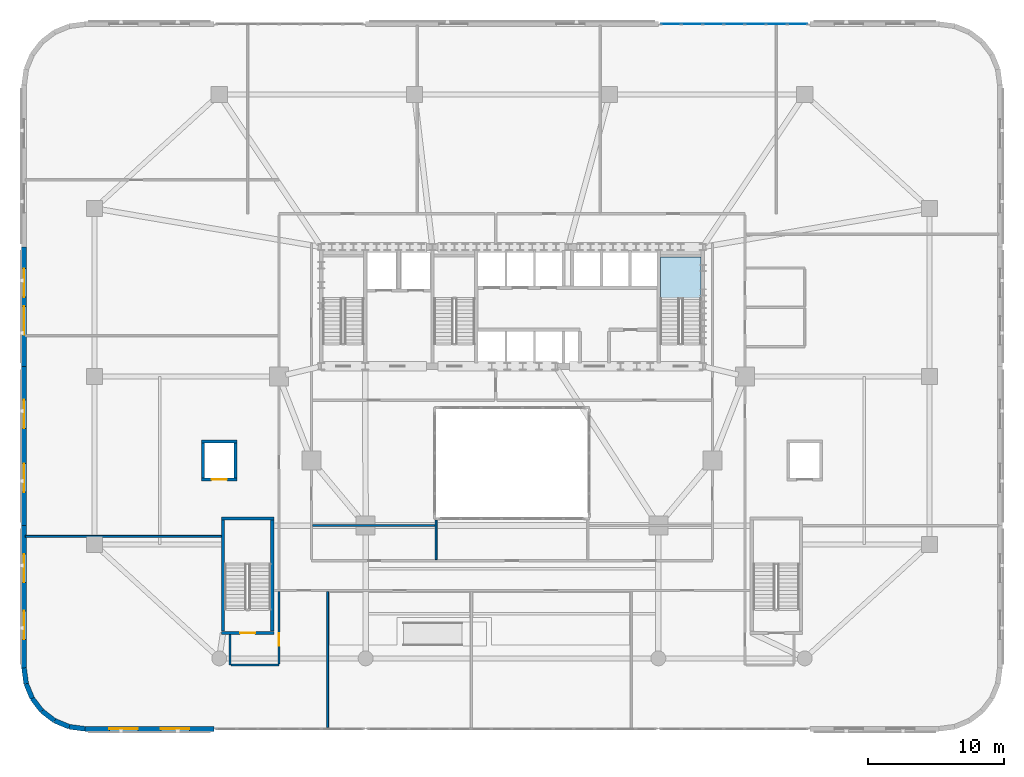
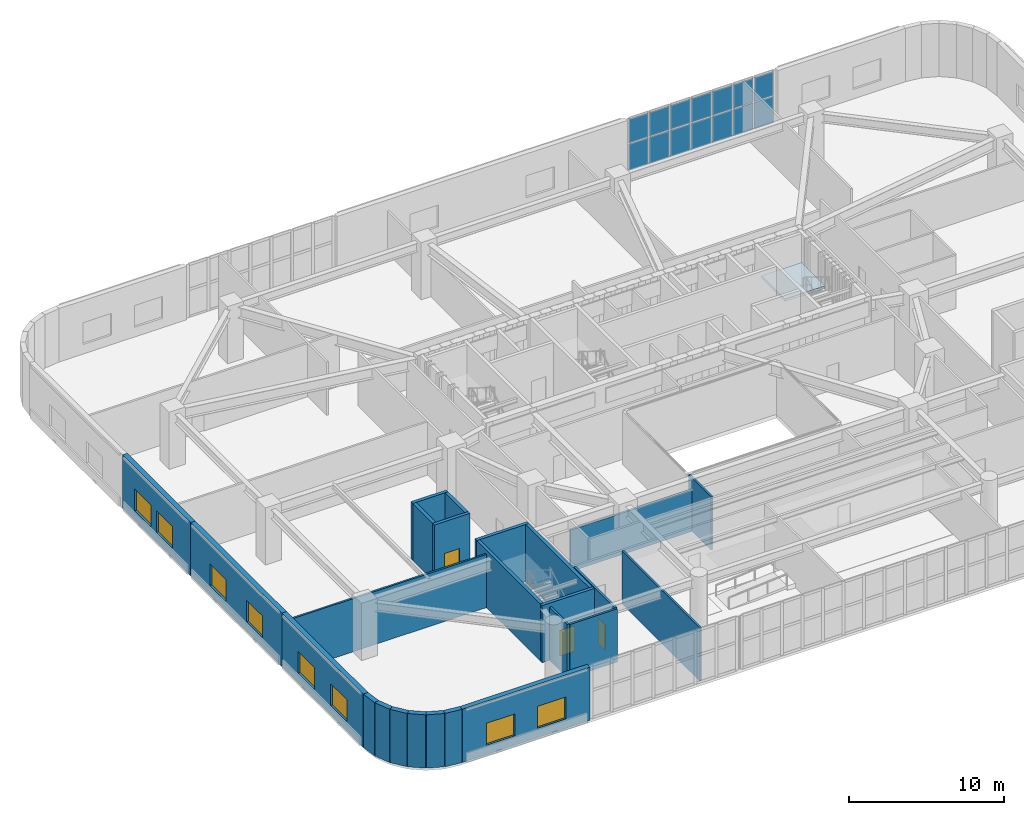
# One storey, part 13 of 25: 25 walls, 14 plates, 8 windows, 3 doors, 1 slab, 11 openings, 2 elements without a shape of their own.
"""IFC4 building model written with IfcOpenShell, lengths in metres."""

from ifc_helpers import new_model, si_unit, direction, frame, frame_2d, origin, origin_2d, place, context, subcontext, project, spatial, polyline, rectangle, outline, extrude, material, layer, layer_set, type_object, element, fill, aggregate, save


model = new_model("IFC4")

# Units and contexts
model_context = context("Model", 3, precision=1e-05, world=origin(), true_north=direction((0.0, 1.0)))
body_context = subcontext(model_context, "Body", "Model", "MODEL_VIEW")
ifc_project = project(units=[si_unit("LENGTHUNIT", "METRE"), si_unit("AREAUNIT", "SQUARE_METRE"), si_unit("VOLUMEUNIT", "CUBIC_METRE"), si_unit("PLANEANGLEUNIT", "RADIAN"), si_unit("MASSUNIT", "GRAM", prefix="KILO")], contexts=[model_context])

# Site, building, storey
site_placement = place(None, origin())
site = spatial("IfcSite", under=ifc_project, at=site_placement, CompositionType="ELEMENT")
building_placement = place(site_placement, origin())
building = spatial("IfcBuilding", under=site, at=building_placement, Name="Haldorwick Loom Tower", CompositionType="ELEMENT")
storey_placement = place(building_placement, frame((0.0, 0.0, 6.0)))
storey = spatial("IfcBuildingStorey", under=building, at=storey_placement, Name="L01", CompositionType="ELEMENT", Elevation=6.0)

# Curtain wall, plates
ifc_material_1 = material(Name="Thermally Broken Anodized Aluminium Curtain Wall Framing", Category="aluminium")
curtain_wall_type = type_object("IfcCurtainWallType", Name="ARC-CW-01", PredefinedType="NOTDEFINED", material=ifc_material_1)
curtain_wall_placement = place(storey_placement, origin())
curtain_wall = element("IfcCurtainWall", 1, at=curtain_wall_placement, inside=storey, type_object=curtain_wall_type, Name="L01 Facade Curtain Wall CW-01 Bay 18", PredefinedType="NOTDEFINED")
ifc_material_2 = material(Name="Triple-Glazed Low-E Argon Insulated Glazing Unit", Category="glass")
ifc_layer_1 = layer(ifc_material_2, 0.037109375, Name="Triple-Glazed Low-E Argon Insulated Glazing Unit", Category="glass")
ifc_layer_set_1 = layer_set([ifc_layer_1], Name="Triple-Glazed Low-E Argon Insulated Glazing Unit")
plate_type = type_object("IfcPlateType", Name="ARC-CWP-01", PredefinedType="CURTAIN_PANEL", material=ifc_layer_set_1)
plate_1_placement = place(storey_placement, frame((57.061279296875, 52.0, 0.074951171875), z_axis=(0.0, 0.0, 1.0), x_axis=(-1.0, 0.0, 0.0)))
plate_1 = element("IfcPlate", 2, at=plate_1_placement, type_object=plate_type, Name="CW-01 panel 1.1", PredefinedType="CURTAIN_PANEL", context=body_context, shape_type="SweptSolid", body=[
    extrude(rectangle(XDim=1.447509765625, YDim=0.037109375, at=origin_2d()), origin(), (0.0, 0.0, 1.0), 2.08740234375),
])
plate_2_placement = place(storey_placement, frame((57.061279296875, 52.0, 2.2373046875), z_axis=(0.0, 0.0, 1.0), x_axis=(-1.0, 0.0, 0.0)))
plate_2 = element("IfcPlate", 3, at=plate_2_placement, type_object=plate_type, Name="CW-01 panel 1.2", PredefinedType="CURTAIN_PANEL", context=body_context, shape_type="SweptSolid", body=[
    extrude(rectangle(XDim=1.447509765625, YDim=0.037109375, at=origin_2d()), origin(), (0.0, 0.0, 1.0), 1.887451171875),
])
plate_3_placement = place(storey_placement, frame((55.52001953125, 52.0, 0.074951171875), z_axis=(0.0, 0.0, 1.0), x_axis=(-1.0, 0.0, 0.0)))
plate_3 = element("IfcPlate", 4, at=plate_3_placement, type_object=plate_type, Name="CW-01 panel 2.1", PredefinedType="CURTAIN_PANEL", context=body_context, shape_type="SweptSolid", body=[
    extrude(rectangle(XDim=1.485107421875, YDim=0.037109375, at=origin_2d()), origin(), (0.0, 0.0, 1.0), 2.08740234375),
])
plate_4_placement = place(storey_placement, frame((55.52001953125, 52.0, 2.2373046875), z_axis=(0.0, 0.0, 1.0), x_axis=(-1.0, 0.0, 0.0)))
plate_4 = element("IfcPlate", 5, at=plate_4_placement, type_object=plate_type, Name="CW-01 panel 2.2", PredefinedType="CURTAIN_PANEL", context=body_context, shape_type="SweptSolid", body=[
    extrude(rectangle(XDim=1.485107421875, YDim=0.037109375, at=origin_2d()), origin(), (0.0, 0.0, 1.0), 1.887451171875),
])
plate_5_placement = place(storey_placement, frame((53.9599609375, 52.0, 0.074951171875), z_axis=(0.0, 0.0, 1.0), x_axis=(-1.0, 0.0, 0.0)))
plate_5 = element("IfcPlate", 6, at=plate_5_placement, type_object=plate_type, Name="CW-01 panel 3.1", PredefinedType="CURTAIN_PANEL", context=body_context, shape_type="SweptSolid", body=[
    extrude(rectangle(XDim=1.485107421875, YDim=0.037109375, at=origin_2d()), origin(), (0.0, 0.0, 1.0), 2.08740234375),
])
plate_6_placement = place(storey_placement, frame((53.9599609375, 52.0, 2.2373046875), z_axis=(0.0, 0.0, 1.0), x_axis=(-1.0, 0.0, 0.0)))
plate_6 = element("IfcPlate", 7, at=plate_6_placement, type_object=plate_type, Name="CW-01 panel 3.2", PredefinedType="CURTAIN_PANEL", context=body_context, shape_type="SweptSolid", body=[
    extrude(rectangle(XDim=1.485107421875, YDim=0.037109375, at=origin_2d()), origin(), (0.0, 0.0, 1.0), 1.887451171875),
])
plate_7_placement = place(storey_placement, frame((52.39990234375, 52.0, 0.074951171875), z_axis=(0.0, 0.0, 1.0), x_axis=(-1.0, 0.0, 0.0)))
plate_7 = element("IfcPlate", 8, at=plate_7_placement, type_object=plate_type, Name="CW-01 panel 4.1", PredefinedType="CURTAIN_PANEL", context=body_context, shape_type="SweptSolid", body=[
    extrude(rectangle(XDim=1.485107421875, YDim=0.037109375, at=origin_2d()), origin(), (0.0, 0.0, 1.0), 2.08740234375),
])
plate_8_placement = place(storey_placement, frame((52.39990234375, 52.0, 2.2373046875), z_axis=(0.0, 0.0, 1.0), x_axis=(-1.0, 0.0, 0.0)))
plate_8 = element("IfcPlate", 9, at=plate_8_placement, type_object=plate_type, Name="CW-01 panel 4.2", PredefinedType="CURTAIN_PANEL", context=body_context, shape_type="SweptSolid", body=[
    extrude(rectangle(XDim=1.485107421875, YDim=0.037109375, at=origin_2d()), origin(), (0.0, 0.0, 1.0), 1.887451171875),
])
plate_9_placement = place(storey_placement, frame((50.840087890625, 52.0, 0.074951171875), z_axis=(0.0, 0.0, 1.0), x_axis=(-1.0, 0.0, 0.0)))
plate_9 = element("IfcPlate", 10, at=plate_9_placement, type_object=plate_type, Name="CW-01 panel 5.1", PredefinedType="CURTAIN_PANEL", context=body_context, shape_type="SweptSolid", body=[
    extrude(rectangle(XDim=1.485107421875, YDim=0.037109375, at=origin_2d()), origin(), (0.0, 0.0, 1.0), 2.08740234375),
])
plate_10_placement = place(storey_placement, frame((50.840087890625, 52.0, 2.2373046875), z_axis=(0.0, 0.0, 1.0), x_axis=(-1.0, 0.0, 0.0)))
plate_10 = element("IfcPlate", 11, at=plate_10_placement, type_object=plate_type, Name="CW-01 panel 5.2", PredefinedType="CURTAIN_PANEL", context=body_context, shape_type="SweptSolid", body=[
    extrude(rectangle(XDim=1.485107421875, YDim=0.037109375, at=origin_2d()), origin(), (0.0, 0.0, 1.0), 1.887451171875),
])
plate_11_placement = place(storey_placement, frame((49.280029296875, 52.0, 0.074951171875), z_axis=(0.0, 0.0, 1.0), x_axis=(-1.0, 0.0, 0.0)))
plate_11 = element("IfcPlate", 12, at=plate_11_placement, type_object=plate_type, Name="CW-01 panel 6.1", PredefinedType="CURTAIN_PANEL", context=body_context, shape_type="SweptSolid", body=[
    extrude(rectangle(XDim=1.485107421875, YDim=0.037109375, at=origin_2d()), origin(), (0.0, 0.0, 1.0), 2.08740234375),
])
plate_12_placement = place(storey_placement, frame((49.280029296875, 52.0, 2.2373046875), z_axis=(0.0, 0.0, 1.0), x_axis=(-1.0, 0.0, 0.0)))
plate_12 = element("IfcPlate", 13, at=plate_12_placement, type_object=plate_type, Name="CW-01 panel 6.2", PredefinedType="CURTAIN_PANEL", context=body_context, shape_type="SweptSolid", body=[
    extrude(rectangle(XDim=1.485107421875, YDim=0.037109375, at=origin_2d()), origin(), (0.0, 0.0, 1.0), 1.887451171875),
])
plate_13_placement = place(storey_placement, frame((47.73876953125, 52.0, 0.074951171875), z_axis=(0.0, 0.0, 1.0), x_axis=(-1.0, 0.0, 0.0)))
plate_13 = element("IfcPlate", 14, at=plate_13_placement, type_object=plate_type, Name="CW-01 panel 7.1", PredefinedType="CURTAIN_PANEL", context=body_context, shape_type="SweptSolid", body=[
    extrude(rectangle(XDim=1.447509765625, YDim=0.037109375, at=origin_2d()), origin(), (0.0, 0.0, 1.0), 2.08740234375),
])
plate_14_placement = place(storey_placement, frame((47.73876953125, 52.0, 2.2373046875), z_axis=(0.0, 0.0, 1.0), x_axis=(-1.0, 0.0, 0.0)))
plate_14 = element("IfcPlate", 15, at=plate_14_placement, type_object=plate_type, Name="CW-01 panel 7.2", PredefinedType="CURTAIN_PANEL", context=body_context, shape_type="SweptSolid", body=[
    extrude(rectangle(XDim=1.447509765625, YDim=0.037109375, at=origin_2d()), origin(), (0.0, 0.0, 1.0), 1.887451171875),
])
aggregate(curtain_wall, [plate_1, plate_2, plate_3, plate_4, plate_5, plate_6, plate_7, plate_8, plate_9, plate_10, plate_11, plate_12, plate_13, plate_14])

# Stair, slab
ifc_material_3 = material(Name="Concrete C40 (40 MPa)", Category="concrete")
stair_type = type_object("IfcStairType", Name="STR-STR-CORE", PredefinedType="HALF_TURN_STAIR", material=ifc_material_3)
stair_placement = place(storey_placement, origin())
stair = element("IfcStair", 16, at=stair_placement, inside=storey, type_object=stair_type, Name="L01 Exit Stair ST-02", PredefinedType="HALF_TURN_STAIR")
ifc_layer_2 = layer(ifc_material_3, 0.199951171875, Name="Concrete C40 (40 MPa)", Category="concrete")
ifc_layer_set_2 = layer_set([ifc_layer_2], Name="Concrete C40 (40 MPa)")
slab_type = type_object("IfcSlabType", Name="STR-SLB-LAND200", PredefinedType="LANDING", material=ifc_layer_set_2)
slab_placement = place(storey_placement, frame((0.0, 0.0, 2.050048828125)))
slab = element("IfcSlab", 17, at=slab_placement, type_object=slab_type, Name="ST-02 landing 1", PredefinedType="LANDING", context=body_context, shape_type="SweptSolid", body=[
    extrude(outline(polyline([(49.949951171875, 31.760009765625), (49.949951171875, 34.800048828125), (46.949951171875, 34.800048828125), (46.949951171875, 31.760009765625), (49.949951171875, 31.760009765625)])), origin(), (0.0, 0.0, 1.0), 0.199951171875),
])
aggregate(stair, [slab])

# Wall, openings, windows
ifc_material_4 = material(Name="Pressed Clay Face Brick and Insulated Masonry Backup Assembly", Category="masonry")
ifc_layer_3 = layer(ifc_material_4, 0.360107421875, Name="Pressed Clay Face Brick and Insulated Masonry Backup Assembly", Category="masonry")
ifc_layer_set_3 = layer_set([ifc_layer_3], Name="Pressed Clay Face Brick and Insulated Masonry Backup Assembly")
wall_type_1 = type_object("IfcWallType", Name="ARC-WL-EXT360", PredefinedType="STANDARD", material=ifc_layer_set_3)
wall_1_placement = place(storey_placement, frame((0.0, 35.550048828125, 0.0), z_axis=(0.0, 0.0, 1.0), x_axis=(0.0, -1.0, 0.0)))
wall_1 = element("IfcWall", 18, at=wall_1_placement, inside=storey, type_object=wall_type_1, Name="L01 Brick Pier and Spandrel Wall 29", PredefinedType="STANDARD", context=body_context, shape_type="SweptSolid", body=[
    extrude(rectangle(XDim=8.800048828125, YDim=0.360107421875, at=frame_2d((4.39990234375, 0.0))), origin(), (0.0, 0.0, 1.0), 4.199951171875),
])
opening_1_placement = place(wall_1_placement, frame((1.590087890625, 0.0, 0.75)))
opening_1 = element("IfcOpeningElement", 19, at=opening_1_placement, cuts=wall_1, Name="Opening W-04", PredefinedType="OPENING", context=body_context, shape_type="SweptSolid", body=[
    extrude(rectangle(XDim=2.10009765625, YDim=1.719970703125, at=frame_2d((1.050048828125, 0.85986328125))), frame((0.0, 0.18994140625, 0.0), z_axis=(0.0, -1.0, 0.0), x_axis=(1.0, 0.0, 0.0)), (0.0, 0.0, 1.0), 0.380126953125),
])
opening_2_placement = place(wall_1_placement, frame((4.373291015625, 0.0, 0.75)))
opening_2 = element("IfcOpeningElement", 20, at=opening_2_placement, cuts=wall_1, Name="Opening W-04", PredefinedType="OPENING", context=body_context, shape_type="SweptSolid", body=[
    extrude(rectangle(XDim=2.10009765625, YDim=1.719970703125, at=frame_2d((1.050048828125, 0.85986328125))), frame((0.0, 0.18994140625, 0.0), z_axis=(0.0, -1.0, 0.0), x_axis=(1.0, 0.0, 0.0)), (0.0, 0.0, 1.0), 0.380126953125),
])
window_type = type_object("IfcWindowType", Name="ARC-WIN-W210", PartitioningType="SINGLE_PANEL", PredefinedType="WINDOW", material=ifc_material_2)
window_1_placement = place(opening_1_placement, origin())
window_1 = element("IfcWindow", 21, at=window_1_placement, inside=storey, type_object=window_type, Name="L01 Deep-Set Zone 7A Window 29", OverallHeight=1.719970703125, OverallWidth=2.10009765625, PartitioningType="SINGLE_PANEL", PredefinedType="WINDOW", context=body_context, shape_type="SweptSolid", body=[
    extrude(rectangle(XDim=2.10009765625, YDim=1.719970703125, at=frame_2d((1.050048828125, 0.85986328125))), frame((0.0, 0.030029296875, 0.0), z_axis=(0.0, -1.0, 0.0), x_axis=(1.0, 0.0, 0.0)), (0.0, 0.0, 1.0), 0.06005859375),
])
fill(opening_1, window_1)
window_2_placement = place(opening_2_placement, origin())
window_2 = element("IfcWindow", 22, at=window_2_placement, inside=storey, type_object=window_type, Name="L01 Deep-Set Zone 7A Window 29", OverallHeight=1.719970703125, OverallWidth=2.10009765625, PartitioningType="SINGLE_PANEL", PredefinedType="WINDOW", context=body_context, shape_type="SweptSolid", body=[
    extrude(rectangle(XDim=2.10009765625, YDim=1.719970703125, at=frame_2d((1.050048828125, 0.85986328125))), frame((0.0, 0.030029296875, 0.0), z_axis=(0.0, -1.0, 0.0), x_axis=(1.0, 0.0, 0.0)), (0.0, 0.0, 1.0), 0.06005859375),
])
fill(opening_2, window_2)

wall_2_placement = place(storey_placement, frame((0.0, 26.75, 0.0), z_axis=(0.0, 0.0, 1.0), x_axis=(0.0, -1.0, 0.0)))
wall_2 = element("IfcWall", 23, at=wall_2_placement, inside=storey, type_object=wall_type_1, Name="L01 Brick Pier and Spandrel Wall 30", PredefinedType="STANDARD", context=body_context, shape_type="SweptSolid", body=[
    extrude(rectangle(XDim=11.75, YDim=0.360107421875, at=frame_2d((5.875, 0.0))), origin(), (0.0, 0.0, 1.0), 4.199951171875),
])
opening_3_placement = place(wall_2_placement, frame((2.47509765625, 0.0, 0.75)))
opening_3 = element("IfcOpeningElement", 24, at=opening_3_placement, cuts=wall_2, Name="Opening W-04", PredefinedType="OPENING", context=body_context, shape_type="SweptSolid", body=[
    extrude(rectangle(XDim=2.10009765625, YDim=1.719970703125, at=frame_2d((1.050048828125, 0.85986328125))), frame((0.0, 0.18994140625, 0.0), z_axis=(0.0, -1.0, 0.0), x_axis=(1.0, 0.0, 0.0)), (0.0, 0.0, 1.0), 0.380126953125),
])
opening_4_placement = place(wall_2_placement, frame((7.175048828125, 0.0, 0.75)))
opening_4 = element("IfcOpeningElement", 25, at=opening_4_placement, cuts=wall_2, Name="Opening W-04", PredefinedType="OPENING", context=body_context, shape_type="SweptSolid", body=[
    extrude(rectangle(XDim=2.10009765625, YDim=1.719970703125, at=frame_2d((1.050048828125, 0.85986328125))), frame((0.0, 0.18994140625, 0.0), z_axis=(0.0, -1.0, 0.0), x_axis=(1.0, 0.0, 0.0)), (0.0, 0.0, 1.0), 0.380126953125),
])
window_3_placement = place(opening_3_placement, origin())
window_3 = element("IfcWindow", 26, at=window_3_placement, inside=storey, type_object=window_type, Name="L01 Deep-Set Zone 7A Window 30", OverallHeight=1.719970703125, OverallWidth=2.10009765625, PartitioningType="SINGLE_PANEL", PredefinedType="WINDOW", context=body_context, shape_type="SweptSolid", body=[
    extrude(rectangle(XDim=2.10009765625, YDim=1.719970703125, at=frame_2d((1.050048828125, 0.85986328125))), frame((0.0, 0.030029296875, 0.0), z_axis=(0.0, -1.0, 0.0), x_axis=(1.0, 0.0, 0.0)), (0.0, 0.0, 1.0), 0.06005859375),
])
fill(opening_3, window_3)
window_4_placement = place(opening_4_placement, origin())
window_4 = element("IfcWindow", 27, at=window_4_placement, inside=storey, type_object=window_type, Name="L01 Deep-Set Zone 7A Window 30", OverallHeight=1.719970703125, OverallWidth=2.10009765625, PartitioningType="SINGLE_PANEL", PredefinedType="WINDOW", context=body_context, shape_type="SweptSolid", body=[
    extrude(rectangle(XDim=2.10009765625, YDim=1.719970703125, at=frame_2d((1.050048828125, 0.85986328125))), frame((0.0, 0.030029296875, 0.0), z_axis=(0.0, -1.0, 0.0), x_axis=(1.0, 0.0, 0.0)), (0.0, 0.0, 1.0), 0.06005859375),
])
fill(opening_4, window_4)

wall_3_placement = place(storey_placement, frame((0.0, 15.0, 0.0), z_axis=(0.0, 0.0, 1.0), x_axis=(0.0, -1.0, 0.0)))
wall_3 = element("IfcWall", 28, at=wall_3_placement, inside=storey, type_object=wall_type_1, Name="L01 Brick Pier and Spandrel Wall 31", PredefinedType="STANDARD", context=body_context, shape_type="SweptSolid", body=[
    extrude(rectangle(XDim=10.5, YDim=0.360107421875, at=frame_2d((5.25, 0.0))), origin(), (0.0, 0.0, 1.0), 4.199951171875),
])
opening_5_placement = place(wall_3_placement, frame((2.10009765625, 0.0, 0.75)))
opening_5 = element("IfcOpeningElement", 29, at=opening_5_placement, cuts=wall_3, Name="Opening W-04", PredefinedType="OPENING", context=body_context, shape_type="SweptSolid", body=[
    extrude(rectangle(XDim=2.10009765625, YDim=1.719970703125, at=frame_2d((1.050048828125, 0.85986328125))), frame((0.0, 0.18994140625, 0.0), z_axis=(0.0, -1.0, 0.0), x_axis=(1.0, 0.0, 0.0)), (0.0, 0.0, 1.0), 0.380126953125),
])
opening_6_placement = place(wall_3_placement, frame((6.300048828125, 0.0, 0.75)))
opening_6 = element("IfcOpeningElement", 30, at=opening_6_placement, cuts=wall_3, Name="Opening W-04", PredefinedType="OPENING", context=body_context, shape_type="SweptSolid", body=[
    extrude(rectangle(XDim=2.10009765625, YDim=1.719970703125, at=frame_2d((1.050048828125, 0.85986328125))), frame((0.0, 0.18994140625, 0.0), z_axis=(0.0, -1.0, 0.0), x_axis=(1.0, 0.0, 0.0)), (0.0, 0.0, 1.0), 0.380126953125),
])
window_5_placement = place(opening_5_placement, origin())
window_5 = element("IfcWindow", 31, at=window_5_placement, inside=storey, type_object=window_type, Name="L01 Deep-Set Zone 7A Window 31", OverallHeight=1.719970703125, OverallWidth=2.10009765625, PartitioningType="SINGLE_PANEL", PredefinedType="WINDOW", context=body_context, shape_type="SweptSolid", body=[
    extrude(rectangle(XDim=2.10009765625, YDim=1.719970703125, at=frame_2d((1.050048828125, 0.85986328125))), frame((0.0, 0.030029296875, 0.0), z_axis=(0.0, -1.0, 0.0), x_axis=(1.0, 0.0, 0.0)), (0.0, 0.0, 1.0), 0.06005859375),
])
fill(opening_5, window_5)
window_6_placement = place(opening_6_placement, origin())
window_6 = element("IfcWindow", 32, at=window_6_placement, inside=storey, type_object=window_type, Name="L01 Deep-Set Zone 7A Window 31", OverallHeight=1.719970703125, OverallWidth=2.10009765625, PartitioningType="SINGLE_PANEL", PredefinedType="WINDOW", context=body_context, shape_type="SweptSolid", body=[
    extrude(rectangle(XDim=2.10009765625, YDim=1.719970703125, at=frame_2d((1.050048828125, 0.85986328125))), frame((0.0, 0.030029296875, 0.0), z_axis=(0.0, -1.0, 0.0), x_axis=(1.0, 0.0, 0.0)), (0.0, 0.0, 1.0), 0.06005859375),
])
fill(opening_6, window_6)

# Walls
wall_4_placement = place(storey_placement, frame((0.0, 4.5, 0.0), z_axis=(0.0, 0.0, 1.0), x_axis=(0.130502892298, -0.991447928588, 0.0)))
element("IfcWall", 33, at=wall_4_placement, inside=storey, type_object=wall_type_1, Name="L01 Brick Pier and Spandrel Wall 32", PredefinedType="STANDARD", context=body_context, shape_type="SweptSolid", body=[
    extrude(rectangle(XDim=1.1748046875, YDim=0.360107421875, at=frame_2d((0.58740234375, 0.0))), origin(), (0.0, 0.0, 1.0), 4.199951171875),
])
wall_5_placement = place(storey_placement, frame((0.1533203125, 3.335205078125, 0.0), z_axis=(0.0, 0.0, 1.0), x_axis=(0.382651625058, -0.923892706888, 0.0)))
element("IfcWall", 34, at=wall_5_placement, inside=storey, type_object=wall_type_1, Name="L01 Brick Pier and Spandrel Wall 33", PredefinedType="STANDARD", context=body_context, shape_type="SweptSolid", body=[
    extrude(rectangle(XDim=1.174560546875, YDim=0.360107421875, at=frame_2d((0.58740234375, 0.0))), origin(), (0.0, 0.0, 1.0), 4.199951171875),
])
for number, where, z_axis, x_axis, name in (
    (35, (0.602783203125, 2.25, 0.0), (0.0, 0.0, 1.0), (0.60890698735, -0.79324162823, 0.0), "L01 Brick Pier and Spandrel Wall 34"),
    (36, (1.318115234375, 1.318115234375, 0.0), (0.0, 0.0, 1.0), (0.79324162823, -0.60890698735, 0.0), "L01 Brick Pier and Spandrel Wall 35"),
):
    element("IfcWall", number, at=place(storey_placement, frame(where, z_axis=z_axis, x_axis=x_axis)), inside=storey, type_object=wall_type_1, Name=name, PredefinedType="STANDARD", context=body_context, shape_type="SweptSolid", body=[
        extrude(rectangle(XDim=1.1748046875, YDim=0.360107421875, at=frame_2d((0.58740234375, 0.0))), origin(), (0.0, 0.0, 1.0), 4.199951171875),
    ])
wall_6_placement = place(storey_placement, frame((2.25, 0.602783203125, 0.0), z_axis=(0.0, 0.0, 1.0), x_axis=(0.923892706888, -0.382651625058, 0.0)))
element("IfcWall", 37, at=wall_6_placement, inside=storey, type_object=wall_type_1, Name="L01 Brick Pier and Spandrel Wall 36", PredefinedType="STANDARD", context=body_context, shape_type="SweptSolid", body=[
    extrude(rectangle(XDim=1.174560546875, YDim=0.360107421875, at=frame_2d((0.58740234375, 0.0))), origin(), (0.0, 0.0, 1.0), 4.199951171875),
])
wall_7_placement = place(storey_placement, frame((3.335205078125, 0.1533203125, 0.0), z_axis=(0.0, 0.0, 1.0), x_axis=(0.991447928588, -0.130502892298, 0.0)))
element("IfcWall", 38, at=wall_7_placement, inside=storey, type_object=wall_type_1, Name="L01 Brick Pier and Spandrel Wall 37", PredefinedType="STANDARD", context=body_context, shape_type="SweptSolid", body=[
    extrude(rectangle(XDim=1.1748046875, YDim=0.360107421875, at=frame_2d((0.58740234375, 0.0))), origin(), (0.0, 0.0, 1.0), 4.199951171875),
])

# Wall, openings, windows
wall_8_placement = place(storey_placement, frame((4.5, 0.0, 0.0), z_axis=(0.0, 0.0, 1.0), x_axis=(1.0, 0.0, 0.0)))
wall_8 = element("IfcWall", 39, at=wall_8_placement, inside=storey, type_object=wall_type_1, Name="L01 Brick Pier and Spandrel Wall 38", PredefinedType="STANDARD", context=body_context, shape_type="SweptSolid", body=[
    extrude(rectangle(XDim=9.5, YDim=0.360107421875, at=frame_2d((4.75, 0.0))), origin(), (0.0, 0.0, 1.0), 4.199951171875),
])
opening_7_placement = place(wall_8_placement, frame((1.800048828125, 0.0, 0.75)))
opening_7 = element("IfcOpeningElement", 40, at=opening_7_placement, cuts=wall_8, Name="Opening W-04", PredefinedType="OPENING", context=body_context, shape_type="SweptSolid", body=[
    extrude(rectangle(XDim=2.10009765625, YDim=1.719970703125, at=frame_2d((1.050048828125, 0.85986328125))), frame((0.0, 0.18994140625, 0.0), z_axis=(0.0, -1.0, 0.0), x_axis=(1.0, 0.0, 0.0)), (0.0, 0.0, 1.0), 0.380126953125),
])
opening_8_placement = place(wall_8_placement, frame((5.60009765625, 0.0, 0.75)))
opening_8 = element("IfcOpeningElement", 41, at=opening_8_placement, cuts=wall_8, Name="Opening W-04", PredefinedType="OPENING", context=body_context, shape_type="SweptSolid", body=[
    extrude(rectangle(XDim=2.10009765625, YDim=1.719970703125, at=frame_2d((1.050048828125, 0.85986328125))), frame((0.0, 0.18994140625, 0.0), z_axis=(0.0, -1.0, 0.0), x_axis=(1.0, 0.0, 0.0)), (0.0, 0.0, 1.0), 0.380126953125),
])
window_7_placement = place(opening_7_placement, origin())
window_7 = element("IfcWindow", 42, at=window_7_placement, inside=storey, type_object=window_type, Name="L01 Deep-Set Zone 7A Window 38", OverallHeight=1.719970703125, OverallWidth=2.10009765625, PartitioningType="SINGLE_PANEL", PredefinedType="WINDOW", context=body_context, shape_type="SweptSolid", body=[
    extrude(rectangle(XDim=2.10009765625, YDim=1.719970703125, at=frame_2d((1.050048828125, 0.85986328125))), frame((0.0, 0.030029296875, 0.0), z_axis=(0.0, -1.0, 0.0), x_axis=(1.0, 0.0, 0.0)), (0.0, 0.0, 1.0), 0.06005859375),
])
fill(opening_7, window_7)
window_8_placement = place(opening_8_placement, origin())
window_8 = element("IfcWindow", 43, at=window_8_placement, inside=storey, type_object=window_type, Name="L01 Deep-Set Zone 7A Window 38", OverallHeight=1.719970703125, OverallWidth=2.10009765625, PartitioningType="SINGLE_PANEL", PredefinedType="WINDOW", context=body_context, shape_type="SweptSolid", body=[
    extrude(rectangle(XDim=2.10009765625, YDim=1.719970703125, at=frame_2d((1.050048828125, 0.85986328125))), frame((0.0, 0.030029296875, 0.0), z_axis=(0.0, -1.0, 0.0), x_axis=(1.0, 0.0, 0.0)), (0.0, 0.0, 1.0), 0.06005859375),
])
fill(opening_8, window_8)

# Walls
ifc_material_5 = material(Name="Fire-Rated Type X Gypsum Stud Assembly EI 60")
ifc_layer_4 = layer(ifc_material_5, 0.159912109375, Name="Fire-Rated Type X Gypsum Stud Assembly EI 60")
ifc_layer_set_4 = layer_set([ifc_layer_4], Name="Fire-Rated Type X Gypsum Stud Assembly EI 60")
wall_type_2 = type_object("IfcWallType", Name="ARC-WL-FIRE160", PredefinedType="PARTITIONING", material=ifc_layer_set_4)
wall_9_placement = place(storey_placement, frame((15.199951171875, 4.699951171875, 0.0), z_axis=(0.0, 0.0, 1.0), x_axis=(0.0, 1.0, 0.0)))
element("IfcWall", 44, at=wall_9_placement, inside=storey, type_object=wall_type_2, Name="L01 Podium Partition L01-SP1W", PredefinedType="PARTITIONING", context=body_context, shape_type="SweptSolid", body=[
    extrude(rectangle(XDim=2.257080078125, YDim=0.159912109375, at=frame_2d((1.12841796875, 0.0))), origin(), (0.0, 0.0, 1.0), 4.18505859375),
])
wall_10_placement = place(storey_placement, frame((15.282958984375, 4.699951171875, 0.0), z_axis=(0.0, 0.0, 1.0), x_axis=(1.0, 0.0, 0.0)))
element("IfcWall", 45, at=wall_10_placement, inside=storey, type_object=wall_type_2, Name="L01 Podium Partition L01-SP1S", PredefinedType="PARTITIONING", context=body_context, shape_type="SweptSolid", body=[
    extrude(rectangle(XDim=3.51708984375, YDim=0.159912109375, at=frame_2d((1.758544921875, 0.0))), origin(), (0.0, 0.0, 1.0), 4.18505859375),
])

# Wall, opening, door
wall_11_placement = place(storey_placement, frame((18.800048828125, 4.782958984375, 0.0), z_axis=(0.0, 0.0, 1.0), x_axis=(0.0, 1.0, 0.0)))
wall_11 = element("IfcWall", 46, at=wall_11_placement, inside=storey, type_object=wall_type_2, Name="L01 Podium Partition L01-SP1E", PredefinedType="PARTITIONING", context=body_context, shape_type="SweptSolid", body=[
    extrude(rectangle(XDim=5.333984375, YDim=0.159912109375, at=frame_2d((2.6669921875, 0.0))), origin(), (0.0, 0.0, 1.0), 4.18505859375),
])
opening_9_placement = place(wall_11_placement, frame((1.35302734375, 0.0, 0.0)))
opening_9 = element("IfcOpeningElement", 47, at=opening_9_placement, cuts=wall_11, Name="Opening D-FD60A", PredefinedType="OPENING", context=body_context, shape_type="SweptSolid", body=[
    extrude(rectangle(XDim=0.89990234375, YDim=2.0, at=frame_2d((0.449951171875, 1.0))), frame((0.0, 0.08984375, 0.0), z_axis=(0.0, -1.0, 0.0), x_axis=(1.0, 0.0, 0.0)), (0.0, 0.0, 1.0), 0.179931640625),
])
ifc_material_6 = material(Name="Hollow Steel Fire Door Assembly", Category="steel")
door_type_1 = type_object("IfcDoorType", Name="ARC-DR-FD60-90", OperationType="NOTDEFINED", PredefinedType="DOOR", material=ifc_material_6)
door_1_placement = place(opening_9_placement, frame((0.89990234375, 0.0, 0.0), z_axis=(0.0, 0.0, 1.0), x_axis=(-1.0, 0.0, 0.0)))
door_1 = element("IfcDoor", 48, at=door_1_placement, inside=storey, type_object=door_type_1, Name="L01 L01 West Stair Vestibule to Patient Registration Office 5 Door", OperationType="SINGLE_SWING_RIGHT", OverallHeight=2.0, OverallWidth=0.89990234375, PredefinedType="DOOR", context=body_context, shape_type="SweptSolid", body=[
    extrude(rectangle(XDim=0.89990234375, YDim=2.0, at=frame_2d((0.449951171875, 1.0))), frame((0.0, 0.02490234375, 0.0), z_axis=(0.0, -1.0, 0.0), x_axis=(1.0, 0.0, 0.0)), (0.0, 0.0, 1.0), 0.050048828125),
])
fill(opening_9, door_1)

# Walls
wall_12_placement = place(storey_placement, frame((21.282958984375, 15.0, 0.0), z_axis=(0.0, 0.0, 1.0), x_axis=(1.0, 0.0, 0.0)))
element("IfcWall", 49, at=wall_12_placement, inside=storey, type_object=wall_type_2, Name="L01 Podium Partition L01-PTW", PredefinedType="PARTITIONING", context=body_context, shape_type="SweptSolid", body=[
    extrude(rectangle(XDim=9.0439453125, YDim=0.159912109375, at=frame_2d((4.52197265625, 0.0))), origin(), (0.0, 0.0, 1.0), 3.262939453125),
])
ifc_layer_5 = layer(ifc_material_5, 0.139892578125, Name="Fire-Rated Type X Gypsum Stud Assembly EI 60")
ifc_layer_set_5 = layer_set([ifc_layer_5], Name="Fire-Rated Type X Gypsum Stud Assembly EI 60")
wall_type_3 = type_object("IfcWallType", Name="ARC-WL-PART140", PredefinedType="PARTITIONING", material=ifc_layer_set_5)
wall_13_placement = place(storey_placement, frame((30.39990234375, 12.48291015625, 0.0), z_axis=(0.0, 0.0, 1.0), x_axis=(0.0, 1.0, 0.0)))
element("IfcWall", 50, at=wall_13_placement, inside=storey, type_object=wall_type_3, Name="L01 Podium Partition L01-ATW1", PredefinedType="PARTITIONING", context=body_context, shape_type="SweptSolid", body=[
    extrude(rectangle(XDim=2.9140625, YDim=0.139892578125, at=frame_2d((1.45703125, 0.0))), origin(), (0.0, 0.0, 1.0), 4.18505859375),
])
wall_14_placement = place(storey_placement, frame((22.39990234375, 0.10009765625, 0.0), z_axis=(0.0, 0.0, 1.0), x_axis=(0.0, 1.0, 0.0)))
element("IfcWall", 51, at=wall_14_placement, inside=storey, type_object=wall_type_3, Name="L01 Podium Partition L01-PS-0", PredefinedType="PARTITIONING", context=body_context, shape_type="SweptSolid", body=[
    extrude(rectangle(XDim=10.016845703125, YDim=0.139892578125, at=frame_2d((5.00830078125, 0.0))), origin(), (0.0, 0.0, 1.0), 4.18505859375),
])
wall_15_placement = place(storey_placement, frame((0.10009765625, 14.199951171875, 0.0), z_axis=(0.0, 0.0, 1.0), x_axis=(1.0, 0.0, 0.0)))
element("IfcWall", 52, at=wall_15_placement, inside=storey, type_object=wall_type_3, Name="L01 Podium Partition L01-PW-0", PredefinedType="PARTITIONING", context=body_context, shape_type="SweptSolid", body=[
    extrude(rectangle(XDim=14.456787109375, YDim=0.139892578125, at=frame_2d((7.228515625, 0.0))), origin(), (0.0, 0.0, 1.0), 4.18505859375),
])

# Wall, opening, door
ifc_material_7 = material(Name="Concrete C50 (50 MPa)", Category="concrete")
ifc_layer_6 = layer(ifc_material_7, 0.239990234375, Name="Concrete C50 (50 MPa)", Category="concrete")
ifc_layer_set_6 = layer_set([ifc_layer_6], Name="Concrete C50 (50 MPa)")
wall_type_4 = type_object("IfcWallType", Name="STR-WL-SHAFT240", PredefinedType="SHEAR", material=ifc_layer_set_6)
wall_16_placement = place(storey_placement, frame((14.56005859375, 7.080078125, 0.0), z_axis=(0.0, 0.0, 1.0), x_axis=(1.0, 0.0, 0.0)))
wall_16 = element("IfcWall", 53, at=wall_16_placement, inside=storey, type_object=wall_type_4, Name="L01 Exit Stairwell ST-P1 Wall", PredefinedType="SHEAR", context=body_context, shape_type="SweptSolid", body=[
    extrude(rectangle(XDim=3.8798828125, YDim=0.239990234375, at=frame_2d((1.93994140625, 0.0))), origin(), (0.0, 0.0, 1.0), 4.5),
])
opening_10_placement = place(wall_16_placement, frame((1.389892578125, 0.0, 0.0)))
opening_10 = element("IfcOpeningElement", 54, at=opening_10_placement, cuts=wall_16, Name="Opening D-FD90", PredefinedType="OPENING", context=body_context, shape_type="SweptSolid", body=[
    extrude(rectangle(XDim=1.10009765625, YDim=2.0, at=frame_2d((0.550048828125, 1.0))), frame((0.0, 0.1298828125, 0.0), z_axis=(0.0, -1.0, 0.0), x_axis=(1.0, 0.0, 0.0)), (0.0, 0.0, 1.0), 0.260009765625),
])
door_type_2 = type_object("IfcDoorType", Name="ARC-DR-FD90", OperationType="NOTDEFINED", PredefinedType="DOOR", material=ifc_material_6)
door_2_placement = place(opening_10_placement, origin())
door_2 = element("IfcDoor", 55, at=door_2_placement, inside=storey, type_object=door_type_2, Name="L01 Exit Stairwell ST-P1 Exit Door", OperationType="SINGLE_SWING_LEFT", OverallHeight=2.0, OverallWidth=1.10009765625, PredefinedType="DOOR", context=body_context, shape_type="SweptSolid", body=[
    extrude(rectangle(XDim=1.10009765625, YDim=2.0, at=frame_2d((0.550048828125, 1.0))), frame((0.0, 0.02490234375, 0.0), z_axis=(0.0, -1.0, 0.0), x_axis=(1.0, 0.0, 0.0)), (0.0, 0.0, 1.0), 0.050048828125),
])
fill(opening_10, door_2)

# Walls
wall_17_placement = place(storey_placement, frame((18.43994140625, 15.52001953125, 0.0), z_axis=(0.0, 0.0, 1.0), x_axis=(-1.0, 0.0, 0.0)))
element("IfcWall", 56, at=wall_17_placement, inside=storey, type_object=wall_type_4, Name="L01 Exit Stairwell ST-P1 Wall", PredefinedType="SHEAR", context=body_context, shape_type="SweptSolid", body=[
    extrude(rectangle(XDim=3.8798828125, YDim=0.239990234375, at=frame_2d((1.93994140625, 0.0))), origin(), (0.0, 0.0, 1.0), 4.5),
])
for number, where, z_axis, x_axis, name in (
    (57, (14.679931640625, 7.202880859375, 0.0), (0.0, 0.0, 1.0), (0.0, 1.0, 0.0), "L01 Exit Stairwell ST-P1 Wall"),
    (58, (18.320068359375, 7.202880859375, 0.0), (0.0, 0.0, 1.0), (0.0, 1.0, 0.0), "L01 Exit Stairwell ST-P1 Wall"),
):
    element("IfcWall", number, at=place(storey_placement, frame(where, z_axis=z_axis, x_axis=x_axis)), inside=storey, type_object=wall_type_4, Name=name, PredefinedType="SHEAR", context=body_context, shape_type="SweptSolid", body=[
        extrude(rectangle(XDim=8.194091796875, YDim=0.239990234375, at=frame_2d((4.09716796875, 0.0))), origin(), (0.0, 0.0, 1.0), 4.5),
    ])

# Wall, opening, door
wall_18_placement = place(storey_placement, frame((13.080078125, 18.39990234375, 0.0), z_axis=(0.0, 0.0, 1.0), x_axis=(1.0, 0.0, 0.0)))
wall_18 = element("IfcWall", 59, at=wall_18_placement, inside=storey, type_object=wall_type_4, Name="L01 Podium Lift Shaft LF-P1 Wall", PredefinedType="SHEAR", context=body_context, shape_type="SweptSolid", body=[
    extrude(rectangle(XDim=2.639892578125, YDim=0.239990234375, at=frame_2d((1.31982421875, 0.0))), origin(), (0.0, 0.0, 1.0), 4.5),
])
opening_11_placement = place(wall_18_placement, frame((0.760009765625, 0.0, 0.0)))
opening_11 = element("IfcOpeningElement", 60, at=opening_11_placement, cuts=wall_18, Name="Opening LD-P1", PredefinedType="OPENING", context=body_context, shape_type="SweptSolid", body=[
    extrude(rectangle(XDim=1.1201171875, YDim=2.0, at=frame_2d((0.56005859375, 1.0))), frame((0.0, 0.1298828125, 0.0), z_axis=(0.0, -1.0, 0.0), x_axis=(1.0, 0.0, 0.0)), (0.0, 0.0, 1.0), 0.260009765625),
])
door_type_3 = type_object("IfcDoorType", Name="ARC-DR-LD-PAX", OperationType="NOTDEFINED", PredefinedType="USERDEFINED", material=ifc_material_6)
door_3_placement = place(opening_11_placement, origin())
door_3 = element("IfcDoor", 61, at=door_3_placement, inside=storey, type_object=door_type_3, Name="L01 Lift LF-P1 Sliding Landing Door", ObjectType="LANDING DOOR", OperationType="DOUBLE_DOOR_SLIDING", OverallHeight=2.0, OverallWidth=1.1201171875, PredefinedType="USERDEFINED", context=body_context, shape_type="SweptSolid", body=[
    extrude(rectangle(XDim=1.1201171875, YDim=2.0, at=frame_2d((0.56005859375, 1.0))), frame((0.0, 0.02490234375, 0.0), z_axis=(0.0, -1.0, 0.0), x_axis=(1.0, 0.0, 0.0)), (0.0, 0.0, 1.0), 0.050048828125),
])
fill(opening_11, door_3)

# Walls
wall_19_placement = place(storey_placement, frame((15.719970703125, 21.199951171875, 0.0), z_axis=(0.0, 0.0, 1.0), x_axis=(-1.0, 0.0, 0.0)))
element("IfcWall", 62, at=wall_19_placement, inside=storey, type_object=wall_type_4, Name="L01 Podium Lift Shaft LF-P1 Wall", PredefinedType="SHEAR", context=body_context, shape_type="SweptSolid", body=[
    extrude(rectangle(XDim=2.639892578125, YDim=0.239990234375, at=frame_2d((1.31982421875, 0.0))), origin(), (0.0, 0.0, 1.0), 4.5),
])
for number, where, z_axis, x_axis, name in (
    (63, (13.199951171875, 18.52294921875, 0.0), (0.0, 0.0, 1.0), (0.0, 1.0, 0.0), "L01 Podium Lift Shaft LF-P1 Wall"),
    (64, (15.60009765625, 18.52294921875, 0.0), (0.0, 0.0, 1.0), (0.0, 1.0, 0.0), "L01 Podium Lift Shaft LF-P1 Wall"),
):
    element("IfcWall", number, at=place(storey_placement, frame(where, z_axis=z_axis, x_axis=x_axis)), inside=storey, type_object=wall_type_4, Name=name, PredefinedType="SHEAR", context=body_context, shape_type="SweptSolid", body=[
        extrude(rectangle(XDim=2.553955078125, YDim=0.239990234375, at=frame_2d((1.27685546875, 0.0))), origin(), (0.0, 0.0, 1.0), 4.5),
    ])

save(model, "model.ifc")
